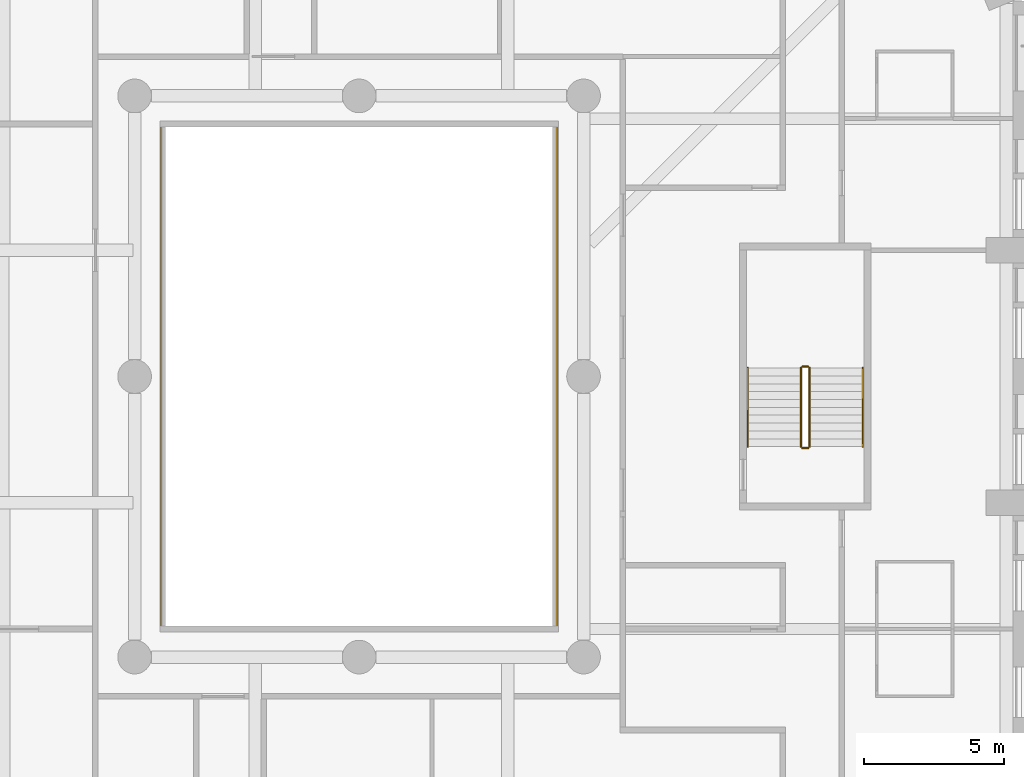
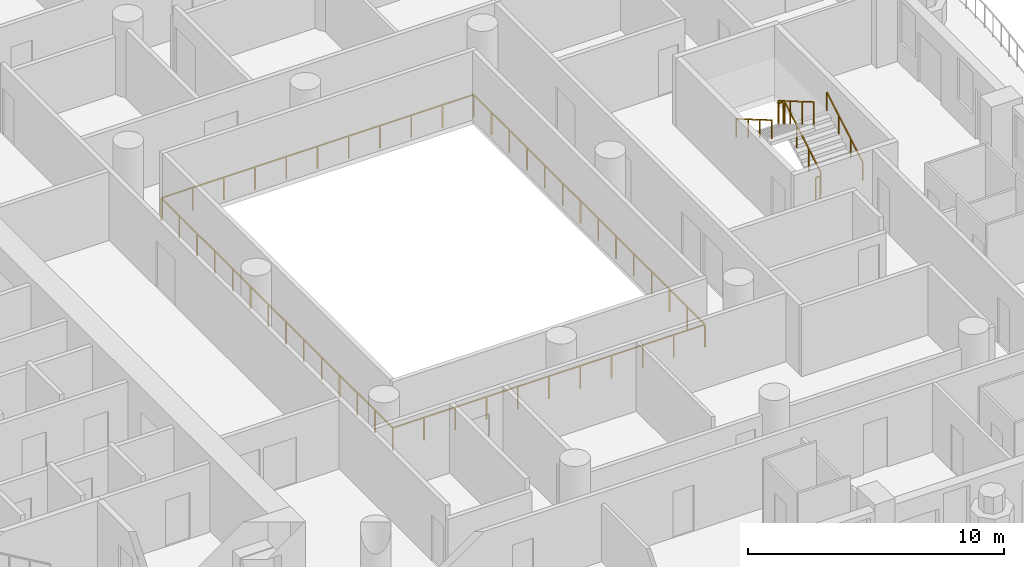
# One storey, part 14 of 19: 7 railings.
"""IFC4 building model written with IfcOpenShell, lengths in metres."""

from ifc_helpers import new_model, si_unit, direction, frame, origin, origin_2d, place, context, subcontext, project, spatial, rectangle, extrude, material, type_object, element, save


model = new_model("IFC4")

# Units and contexts
model_context = context("Model", 3, precision=1e-05, world=origin(), true_north=direction((0.0, 1.0)))
body_context = subcontext(model_context, "Body", "Model", "MODEL_VIEW")
ifc_project = project(units=[si_unit("LENGTHUNIT", "METRE"), si_unit("AREAUNIT", "SQUARE_METRE"), si_unit("VOLUMEUNIT", "CUBIC_METRE"), si_unit("PLANEANGLEUNIT", "RADIAN"), si_unit("MASSUNIT", "GRAM", prefix="KILO")], contexts=[model_context])

# Site, building, storey
site_placement = place(None, origin())
site = spatial("IfcSite", under=ifc_project, at=site_placement, CompositionType="ELEMENT")
building_placement = place(site_placement, origin())
building = spatial("IfcBuilding", under=site, at=building_placement, Name="Cypress Arch Tower", CompositionType="ELEMENT")
storey_placement = place(building_placement, frame((0.0, 0.0, 69.89990234375)))
storey = spatial("IfcBuildingStorey", under=building, at=storey_placement, Name="L11", CompositionType="ELEMENT", Elevation=69.89990234375)

# Railings
ifc_material_1 = material(Name="Stainless steel posts and handrail, laminated glass infill", Category="steel")
railing_type_1 = type_object("IfcRailingType", Name="Atrium guard GR1100A", PredefinedType="GUARDRAIL", material=ifc_material_1)
railing_1_placement = place(storey_placement, frame((8.050048828125, -9.050048828125, 0.0)))
element("IfcRailing", 1, at=railing_1_placement, inside=storey, type_object=railing_type_1, Name="Atrium guard L11", PredefinedType="GUARDRAIL", context=body_context, shape_type="SweptSolid", body=[
    extrude(rectangle(XDim=0.050048828125, YDim=0.050048828125, at=origin_2d()), frame((0.0, 0.0, 1.0751953125), z_axis=(-1.0, 0.0, 0.0), x_axis=(0.0, -1.0, 0.0)), (0.0, 0.0, 1.0), 14.10009765625),
    extrude(rectangle(XDim=0.050048828125, YDim=0.050048828125, at=origin_2d()), frame((-14.10009765625, 0.0, 1.0751953125), z_axis=(0.0, 1.0, 0.0), x_axis=(-1.0, 0.0, 0.0)), (0.0, 0.0, 1.0), 18.10009765625),
    extrude(rectangle(XDim=0.050048828125, YDim=0.050048828125, at=origin_2d()), frame((-14.10009765625, 18.10009765625, 1.0751953125), z_axis=(1.0, 0.0, 0.0), x_axis=(0.0, 1.0, 0.0)), (0.0, 0.0, 1.0), 14.10009765625),
    extrude(rectangle(XDim=0.050048828125, YDim=0.050048828125, at=origin_2d()), frame((0.0, 18.10009765625, 1.0751953125), z_axis=(0.0, -1.0, 0.0), x_axis=(1.0, 0.0, 0.0)), (0.0, 0.0, 1.0), 18.10009765625),
    extrude(rectangle(XDim=0.050048828125, YDim=0.050048828125, at=origin_2d()), origin(), (0.0, 0.0, 1.0), 1.050048828125),
    extrude(rectangle(XDim=0.050048828125, YDim=0.050048828125, at=origin_2d()), frame((-1.409912109375, 0.0, 0.0)), (0.0, 0.0, 1.0), 1.050048828125),
    extrude(rectangle(XDim=0.050048828125, YDim=0.050048828125, at=origin_2d()), frame((-2.820068359375, 0.0, 0.0)), (0.0, 0.0, 1.0), 1.050048828125),
    extrude(rectangle(XDim=0.050048828125, YDim=0.050048828125, at=origin_2d()), frame((-4.22998046875, 0.0, 0.0)), (0.0, 0.0, 1.0), 1.050048828125),
    extrude(rectangle(XDim=0.050048828125, YDim=0.050048828125, at=origin_2d()), frame((-5.64013671875, 0.0, 0.0)), (0.0, 0.0, 1.0), 1.050048828125),
    extrude(rectangle(XDim=0.050048828125, YDim=0.050048828125, at=origin_2d()), frame((-7.050048828125, 0.0, 0.0)), (0.0, 0.0, 1.0), 1.050048828125),
    extrude(rectangle(XDim=0.050048828125, YDim=0.050048828125, at=origin_2d()), frame((-8.4599609375, 0.0, 0.0)), (0.0, 0.0, 1.0), 1.050048828125),
    extrude(rectangle(XDim=0.050048828125, YDim=0.050048828125, at=origin_2d()), frame((-9.8701171875, 0.0, 0.0)), (0.0, 0.0, 1.0), 1.050048828125),
    extrude(rectangle(XDim=0.050048828125, YDim=0.050048828125, at=origin_2d()), frame((-11.280029296875, 0.0, 0.0)), (0.0, 0.0, 1.0), 1.050048828125),
    extrude(rectangle(XDim=0.050048828125, YDim=0.050048828125, at=origin_2d()), frame((-12.690185546875, 0.0, 0.0)), (0.0, 0.0, 1.0), 1.050048828125),
    extrude(rectangle(XDim=0.050048828125, YDim=0.050048828125, at=origin_2d()), frame((-14.10009765625, 0.0, 0.0)), (0.0, 0.0, 1.0), 1.050048828125),
    extrude(rectangle(XDim=0.050048828125, YDim=0.050048828125, at=origin_2d()), frame((-14.10009765625, 1.392333984375, 0.0)), (0.0, 0.0, 1.0), 1.050048828125),
    extrude(rectangle(XDim=0.050048828125, YDim=0.050048828125, at=origin_2d()), frame((-14.10009765625, 2.78466796875, 0.0)), (0.0, 0.0, 1.0), 1.050048828125),
    extrude(rectangle(XDim=0.050048828125, YDim=0.050048828125, at=origin_2d()), frame((-14.10009765625, 4.177001953125, 0.0)), (0.0, 0.0, 1.0), 1.050048828125),
    extrude(rectangle(XDim=0.050048828125, YDim=0.050048828125, at=origin_2d()), frame((-14.10009765625, 5.5693359375, 0.0)), (0.0, 0.0, 1.0), 1.050048828125),
    extrude(rectangle(XDim=0.050048828125, YDim=0.050048828125, at=origin_2d()), frame((-14.10009765625, 6.961669921875, 0.0)), (0.0, 0.0, 1.0), 1.050048828125),
    extrude(rectangle(XDim=0.050048828125, YDim=0.050048828125, at=origin_2d()), frame((-14.10009765625, 8.35400390625, 0.0)), (0.0, 0.0, 1.0), 1.050048828125),
    extrude(rectangle(XDim=0.050048828125, YDim=0.050048828125, at=origin_2d()), frame((-14.10009765625, 9.74609375, 0.0)), (0.0, 0.0, 1.0), 1.050048828125),
    extrude(rectangle(XDim=0.050048828125, YDim=0.050048828125, at=origin_2d()), frame((-14.10009765625, 11.138427734375, 0.0)), (0.0, 0.0, 1.0), 1.050048828125),
    extrude(rectangle(XDim=0.050048828125, YDim=0.050048828125, at=origin_2d()), frame((-14.10009765625, 12.53076171875, 0.0)), (0.0, 0.0, 1.0), 1.050048828125),
    extrude(rectangle(XDim=0.050048828125, YDim=0.050048828125, at=origin_2d()), frame((-14.10009765625, 13.923095703125, 0.0)), (0.0, 0.0, 1.0), 1.050048828125),
    extrude(rectangle(XDim=0.050048828125, YDim=0.050048828125, at=origin_2d()), frame((-14.10009765625, 15.3154296875, 0.0)), (0.0, 0.0, 1.0), 1.050048828125),
    extrude(rectangle(XDim=0.050048828125, YDim=0.050048828125, at=origin_2d()), frame((-14.10009765625, 16.707763671875, 0.0)), (0.0, 0.0, 1.0), 1.050048828125),
    extrude(rectangle(XDim=0.050048828125, YDim=0.050048828125, at=origin_2d()), frame((-14.10009765625, 18.10009765625, 0.0)), (0.0, 0.0, 1.0), 1.050048828125),
    extrude(rectangle(XDim=0.050048828125, YDim=0.050048828125, at=origin_2d()), frame((-12.690185546875, 18.10009765625, 0.0)), (0.0, 0.0, 1.0), 1.050048828125),
    extrude(rectangle(XDim=0.050048828125, YDim=0.050048828125, at=origin_2d()), frame((-11.280029296875, 18.10009765625, 0.0)), (0.0, 0.0, 1.0), 1.050048828125),
    extrude(rectangle(XDim=0.050048828125, YDim=0.050048828125, at=origin_2d()), frame((-9.8701171875, 18.10009765625, 0.0)), (0.0, 0.0, 1.0), 1.050048828125),
    extrude(rectangle(XDim=0.050048828125, YDim=0.050048828125, at=origin_2d()), frame((-8.4599609375, 18.10009765625, 0.0)), (0.0, 0.0, 1.0), 1.050048828125),
    extrude(rectangle(XDim=0.050048828125, YDim=0.050048828125, at=origin_2d()), frame((-7.050048828125, 18.10009765625, 0.0)), (0.0, 0.0, 1.0), 1.050048828125),
    extrude(rectangle(XDim=0.050048828125, YDim=0.050048828125, at=origin_2d()), frame((-5.64013671875, 18.10009765625, 0.0)), (0.0, 0.0, 1.0), 1.050048828125),
    extrude(rectangle(XDim=0.050048828125, YDim=0.050048828125, at=origin_2d()), frame((-4.22998046875, 18.10009765625, 0.0)), (0.0, 0.0, 1.0), 1.050048828125),
    extrude(rectangle(XDim=0.050048828125, YDim=0.050048828125, at=origin_2d()), frame((-2.820068359375, 18.10009765625, 0.0)), (0.0, 0.0, 1.0), 1.050048828125),
    extrude(rectangle(XDim=0.050048828125, YDim=0.050048828125, at=origin_2d()), frame((-1.409912109375, 18.10009765625, 0.0)), (0.0, 0.0, 1.0), 1.050048828125),
    extrude(rectangle(XDim=0.050048828125, YDim=0.050048828125, at=origin_2d()), frame((0.0, 18.10009765625, 0.0)), (0.0, 0.0, 1.0), 1.050048828125),
    extrude(rectangle(XDim=0.050048828125, YDim=0.050048828125, at=origin_2d()), frame((0.0, 16.707763671875, 0.0)), (0.0, 0.0, 1.0), 1.050048828125),
    extrude(rectangle(XDim=0.050048828125, YDim=0.050048828125, at=origin_2d()), frame((0.0, 15.3154296875, 0.0)), (0.0, 0.0, 1.0), 1.050048828125),
    extrude(rectangle(XDim=0.050048828125, YDim=0.050048828125, at=origin_2d()), frame((0.0, 13.923095703125, 0.0)), (0.0, 0.0, 1.0), 1.050048828125),
    extrude(rectangle(XDim=0.050048828125, YDim=0.050048828125, at=origin_2d()), frame((0.0, 12.53076171875, 0.0)), (0.0, 0.0, 1.0), 1.050048828125),
    extrude(rectangle(XDim=0.050048828125, YDim=0.050048828125, at=origin_2d()), frame((0.0, 11.138427734375, 0.0)), (0.0, 0.0, 1.0), 1.050048828125),
    extrude(rectangle(XDim=0.050048828125, YDim=0.050048828125, at=origin_2d()), frame((0.0, 9.74609375, 0.0)), (0.0, 0.0, 1.0), 1.050048828125),
    extrude(rectangle(XDim=0.050048828125, YDim=0.050048828125, at=origin_2d()), frame((0.0, 8.35400390625, 0.0)), (0.0, 0.0, 1.0), 1.050048828125),
    extrude(rectangle(XDim=0.050048828125, YDim=0.050048828125, at=origin_2d()), frame((0.0, 6.961669921875, 0.0)), (0.0, 0.0, 1.0), 1.050048828125),
    extrude(rectangle(XDim=0.050048828125, YDim=0.050048828125, at=origin_2d()), frame((0.0, 5.5693359375, 0.0)), (0.0, 0.0, 1.0), 1.050048828125),
    extrude(rectangle(XDim=0.050048828125, YDim=0.050048828125, at=origin_2d()), frame((0.0, 4.177001953125, 0.0)), (0.0, 0.0, 1.0), 1.050048828125),
    extrude(rectangle(XDim=0.050048828125, YDim=0.050048828125, at=origin_2d()), frame((0.0, 2.78466796875, 0.0)), (0.0, 0.0, 1.0), 1.050048828125),
    extrude(rectangle(XDim=0.050048828125, YDim=0.050048828125, at=origin_2d()), frame((0.0, 1.392333984375, 0.0)), (0.0, 0.0, 1.0), 1.050048828125),
])
ifc_material_2 = material(Name="Black powder-coated steel square bar 48 mm", Category="steel")
railing_type_2 = type_object("IfcRailingType", Name="Stair handrail HR1", PredefinedType="HANDRAIL", material=ifc_material_2)
railing_2_placement = place(storey_placement, frame((18.949951171875, -2.5, 0.163818359375)))
element("IfcRailing", 2, at=railing_2_placement, inside=storey, type_object=railing_type_2, Name="L11 C stair handrail 1", PredefinedType="HANDRAIL", context=body_context, shape_type="SweptSolid", body=[
    extrude(rectangle(XDim=0.048095703125, YDim=0.048095703125, at=origin_2d()), frame((0.0, 0.0, 0.8759765625), z_axis=(0.0, 0.863393664356, 0.504530851732), x_axis=(-1.0, 0.0, 0.0)), (0.0, 0.0, 1.0), 3.2431640625),
    extrude(rectangle(XDim=0.0419921875, YDim=0.0419921875, at=origin_2d()), origin(), (0.0, 0.0, 1.0), 0.851806640625),
    extrude(rectangle(XDim=0.0419921875, YDim=0.0419921875, at=origin_2d()), frame((0.0, 0.933349609375, 0.54541015625)), (0.0, 0.0, 1.0), 0.851806640625),
    extrude(rectangle(XDim=0.0419921875, YDim=0.0419921875, at=origin_2d()), frame((0.0, 1.86669921875, 1.0908203125)), (0.0, 0.0, 1.0), 0.851806640625),
    extrude(rectangle(XDim=0.0419921875, YDim=0.0419921875, at=origin_2d()), frame((0.0, 2.800048828125, 1.63623046875)), (0.0, 0.0, 1.0), 0.851806640625),
])
railing_3_placement = place(storey_placement, frame((14.85009765625, 0.300048828125, 1.963623046875)))
element("IfcRailing", 3, at=railing_3_placement, inside=storey, type_object=railing_type_2, Name="L11 C stair handrail 2", PredefinedType="HANDRAIL", context=body_context, shape_type="SweptSolid", body=[
    extrude(rectangle(XDim=0.048095703125, YDim=0.048095703125, at=origin_2d()), frame((0.0, 0.0, 0.8759765625), z_axis=(0.0, -0.863360870873, 0.504586966384), x_axis=(1.0, 0.0, 0.0)), (0.0, 0.0, 1.0), 3.2431640625),
    extrude(rectangle(XDim=0.0419921875, YDim=0.0419921875, at=origin_2d()), origin(), (0.0, 0.0, 1.0), 0.851806640625),
    extrude(rectangle(XDim=0.0419921875, YDim=0.0419921875, at=origin_2d()), frame((0.0, -0.933349609375, 0.54541015625)), (0.0, 0.0, 1.0), 0.851806640625),
    extrude(rectangle(XDim=0.0419921875, YDim=0.0419921875, at=origin_2d()), frame((0.0, -1.86669921875, 1.091064453125)), (0.0, 0.0, 1.0), 0.851806640625),
    extrude(rectangle(XDim=0.0419921875, YDim=0.0419921875, at=origin_2d()), frame((0.0, -2.800048828125, 1.636474609375)), (0.0, 0.0, 1.0), 0.851806640625),
])
ifc_material_3 = material(Name="Black powder-coated steel balusters", Category="steel")
railing_type_3 = type_object("IfcRailingType", Name="Stair well guard G1", PredefinedType="GUARDRAIL", material=ifc_material_3)
railing_4_placement = place(storey_placement, frame((17.050048828125, -2.5, 0.163818359375)))
element("IfcRailing", 4, at=railing_4_placement, inside=storey, type_object=railing_type_3, Name="L11 C stair guard 1", PredefinedType="GUARDRAIL", context=body_context, shape_type="SweptSolid", body=[
    extrude(rectangle(XDim=0.048095703125, YDim=0.048095703125, at=origin_2d()), frame((0.0, 0.0, 1.076171875), z_axis=(0.0, 0.863393664356, 0.504530851732), x_axis=(-1.0, 0.0, 0.0)), (0.0, 0.0, 1.0), 3.2431640625),
    extrude(rectangle(XDim=0.0419921875, YDim=0.0419921875, at=origin_2d()), origin(), (0.0, 0.0, 1.0), 1.052001953125),
    extrude(rectangle(XDim=0.0419921875, YDim=0.0419921875, at=origin_2d()), frame((0.0, 0.933349609375, 0.54541015625)), (0.0, 0.0, 1.0), 1.052001953125),
    extrude(rectangle(XDim=0.0419921875, YDim=0.0419921875, at=origin_2d()), frame((0.0, 1.86669921875, 1.0908203125)), (0.0, 0.0, 1.0), 1.052001953125),
    extrude(rectangle(XDim=0.0419921875, YDim=0.0419921875, at=origin_2d()), frame((0.0, 2.800048828125, 1.63623046875)), (0.0, 0.0, 1.0), 1.052001953125),
])
railing_5_placement = place(storey_placement, frame((17.0, 0.35009765625, 1.800048828125)))
element("IfcRailing", 5, at=railing_5_placement, inside=storey, type_object=railing_type_3, Name="L11 C stair guard 2", PredefinedType="GUARDRAIL", context=body_context, shape_type="SweptSolid", body=[
    extrude(rectangle(XDim=0.048095703125, YDim=0.048095703125, at=origin_2d()), frame((0.0, 0.0, 1.076171875), z_axis=(-1.0, 0.0, 0.0), x_axis=(0.0, -1.0, 0.0)), (0.0, 0.0, 1.0), 0.199951171875),
    extrude(rectangle(XDim=0.0419921875, YDim=0.0419921875, at=origin_2d()), origin(), (0.0, 0.0, 1.0), 1.052001953125),
    extrude(rectangle(XDim=0.0419921875, YDim=0.0419921875, at=origin_2d()), frame((-0.199951171875, 0.0, 0.0)), (0.0, 0.0, 1.0), 1.052001953125),
])
railing_6_placement = place(storey_placement, frame((16.75, 0.300048828125, 1.963623046875)))
element("IfcRailing", 6, at=railing_6_placement, inside=storey, type_object=railing_type_3, Name="L11 C stair guard 3", PredefinedType="GUARDRAIL", context=body_context, shape_type="SweptSolid", body=[
    extrude(rectangle(XDim=0.048095703125, YDim=0.048095703125, at=origin_2d()), frame((0.0, 0.0, 1.076171875), z_axis=(0.0, -0.863360870873, 0.504586966384), x_axis=(1.0, 0.0, 0.0)), (0.0, 0.0, 1.0), 3.2431640625),
    extrude(rectangle(XDim=0.0419921875, YDim=0.0419921875, at=origin_2d()), origin(), (0.0, 0.0, 1.0), 1.052001953125),
    extrude(rectangle(XDim=0.0419921875, YDim=0.0419921875, at=origin_2d()), frame((0.0, -0.933349609375, 0.54541015625)), (0.0, 0.0, 1.0), 1.052001953125),
    extrude(rectangle(XDim=0.0419921875, YDim=0.0419921875, at=origin_2d()), frame((0.0, -1.86669921875, 1.091064453125)), (0.0, 0.0, 1.0), 1.052001953125),
    extrude(rectangle(XDim=0.0419921875, YDim=0.0419921875, at=origin_2d()), frame((0.0, -2.800048828125, 1.636474609375)), (0.0, 0.0, 1.0), 1.052001953125),
])
railing_7_placement = place(storey_placement, frame((17.0, -2.550048828125, 0.0)))
element("IfcRailing", 7, at=railing_7_placement, inside=storey, type_object=railing_type_3, Name="L11 C stair guard 4", PredefinedType="GUARDRAIL", context=body_context, shape_type="SweptSolid", body=[
    extrude(rectangle(XDim=0.048095703125, YDim=0.048095703125, at=origin_2d()), frame((0.0, 0.0, 1.076171875), z_axis=(-1.0, 0.0, 0.0), x_axis=(0.0, -1.0, 0.0)), (0.0, 0.0, 1.0), 0.199951171875),
    extrude(rectangle(XDim=0.0419921875, YDim=0.0419921875, at=origin_2d()), origin(), (0.0, 0.0, 1.0), 1.052001953125),
    extrude(rectangle(XDim=0.0419921875, YDim=0.0419921875, at=origin_2d()), frame((-0.199951171875, 0.0, 0.0)), (0.0, 0.0, 1.0), 1.052001953125),
])

save(model, "model.ifc")
